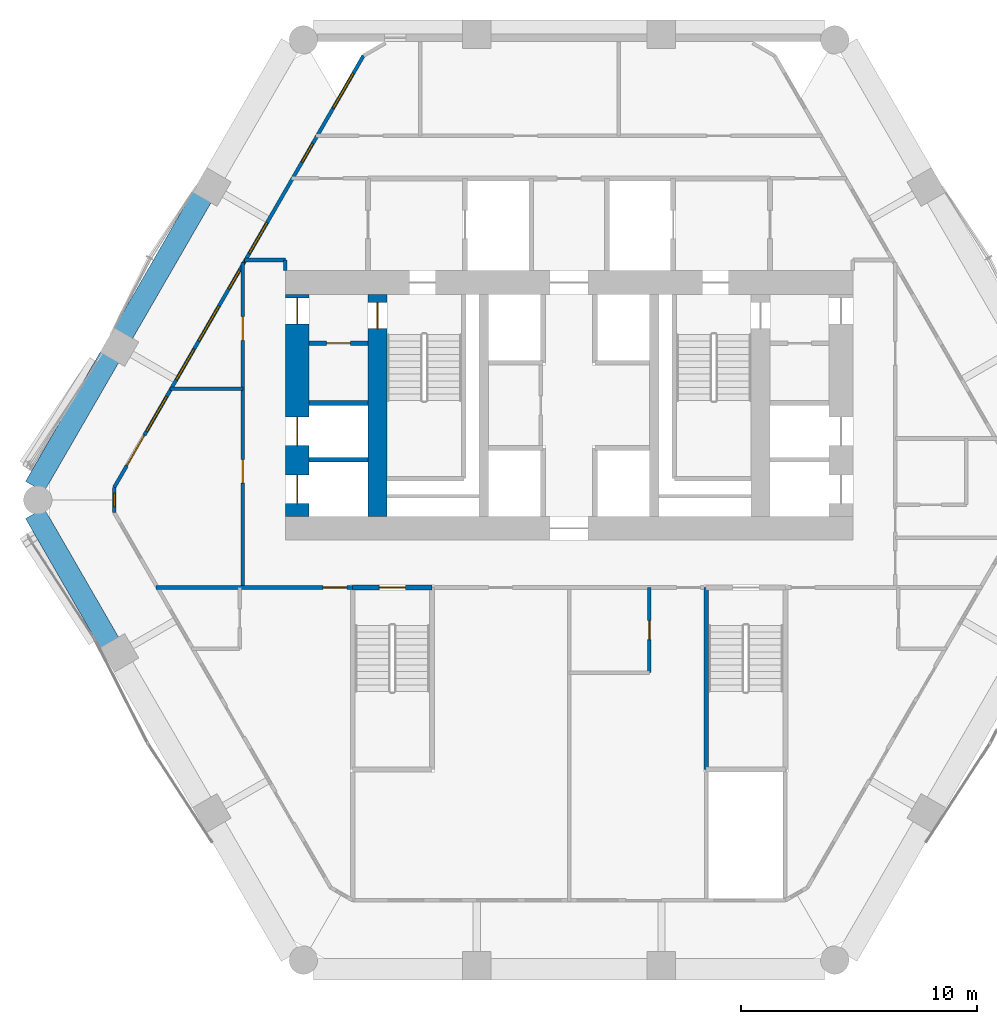
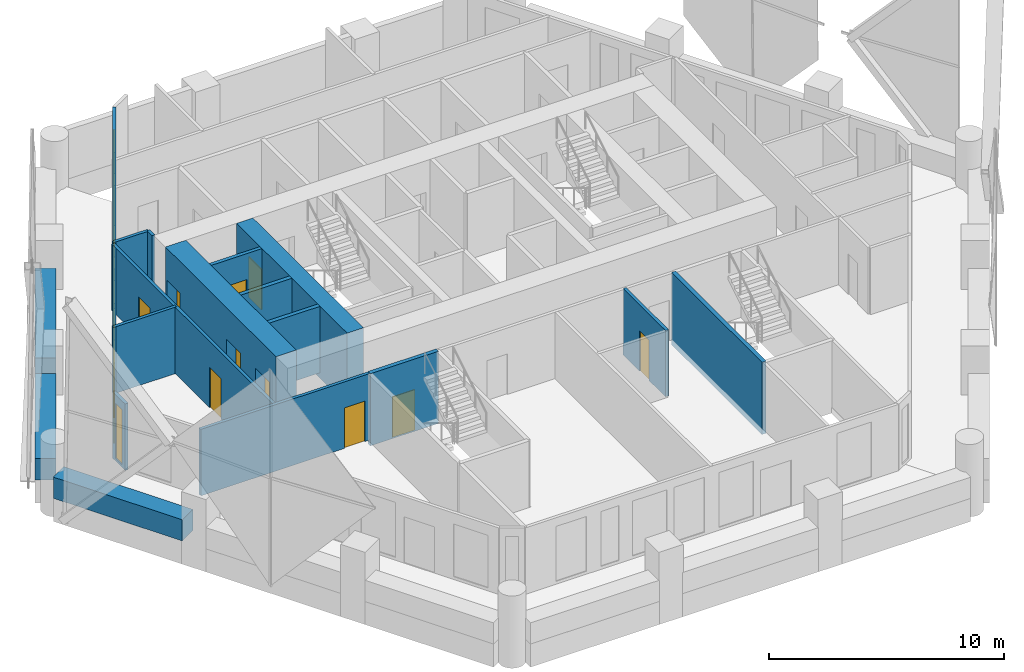
# One storey, part 10 of 16: 18 walls, 11 doors, 8 windows, 19 openings.
"""IFC4 building model written with IfcOpenShell, lengths in metres."""

import ifcopenshell
import ifcopenshell.guid

model = None  # the IFC model being written
_history = None  # IfcOwnerHistory: only IFC2X3 demands one
_inside = {}  # id of a spatial element -> (the spatial element, [elements in it])
_under = {}  # id of a project, library or spatial element -> (it, [spatial elements below it])
_declared = {}  # id of a project -> (the project, [libraries it declares])
_typed = {}  # id of a type object -> (the type object, [elements of that type])
_made_of = {}  # id of a material, layer set ... -> (it, [elements and type objects made of it])


def new_model(schema):
    """Start an empty IFC model of exactly this schema.

    Asked for "IFC4X3", IfcOpenShell would pick the latest addendum, in which some entities
    have other attributes; the version numbers below select the first issue.
    IFC2X3 requires an IfcOwnerHistory on every rooted entity: one is made here for all.
    """
    global model, _history
    if schema == "IFC4X3":
        model = ifcopenshell.file(schema_version=(4, 3, 0, 0))
    else:
        model = ifcopenshell.file(schema=schema)
    _inside.clear()
    _under.clear()
    _declared.clear()
    _typed.clear()
    _made_of.clear()
    _history = None
    if model.schema == "IFC2X3":
        org = make("IfcOrganization", Name="unknown")
        user = make(
            "IfcPersonAndOrganization",
            ThePerson=make("IfcPerson", FamilyName="unknown"),
            TheOrganization=org,
        )
        app = make(
            "IfcApplication",
            ApplicationDeveloper=org,
            Version="unknown",
            ApplicationFullName="unknown",
            ApplicationIdentifier="unknown",
        )
        _history = make(
            "IfcOwnerHistory",
            OwningUser=user,
            OwningApplication=app,
            ChangeAction="ADDED",
            CreationDate=0,
        )
    return model


def make(cls, **values):
    """One entity of the class cls with the attributes given. An attribute that is None is left unset."""
    return model.create_entity(
        cls, **{name: value for name, value in values.items() if value is not None}
    )


def rooted(cls, **values):
    """An entity with a GlobalId (a new one), such as an element, a storey or a relation."""
    return make(cls, GlobalId=ifcopenshell.guid.new(), OwnerHistory=_history, **values)


def si_unit(unit_type, name, prefix=None):
    """IfcSIUnit, for example si_unit("LENGTHUNIT", "METRE", prefix="MILLI")."""
    return make("IfcSIUnit", UnitType=unit_type, Prefix=prefix, Name=name)


def assignment(units):
    """IfcUnitAssignment: the units of a project."""
    return None if units is None else make("IfcUnitAssignment", Units=units)


def point(xyz):
    """IfcCartesianPoint."""
    return None if xyz is None else make("IfcCartesianPoint", Coordinates=xyz)


def direction(xyz):
    """IfcDirection."""
    return None if xyz is None else make("IfcDirection", DirectionRatios=xyz)


def frame(location, z_axis=None, x_axis=None):
    """IfcAxis2Placement3D, a coordinate frame: its origin and axes. An axis left out is left unset."""
    return make(
        "IfcAxis2Placement3D",
        Location=point(location),
        Axis=direction(z_axis),
        RefDirection=direction(x_axis),
    )


def frame_2d(location, x_axis=None):
    """IfcAxis2Placement2D, a coordinate frame in the plane: its origin and x axis."""
    return make(
        "IfcAxis2Placement2D", Location=point(location), RefDirection=direction(x_axis)
    )


def origin():
    """The frame at (0, 0, 0) with its axes left unset."""
    return frame((0.0, 0.0, 0.0))


def place(relative_to, where):
    """IfcLocalPlacement: puts the frame where relative to a parent placement (None: the world)."""
    return make(
        "IfcLocalPlacement", PlacementRelTo=relative_to, RelativePlacement=where
    )


def context(
    kind, dimensions, precision=None, world=None, true_north=None, identifier=None
):
    """IfcGeometricRepresentationContext, for example the 3D "Model" context."""
    return make(
        "IfcGeometricRepresentationContext",
        ContextIdentifier=identifier,
        ContextType=kind,
        CoordinateSpaceDimension=dimensions,
        Precision=precision,
        WorldCoordinateSystem=world,
        TrueNorth=true_north,
    )


def subcontext(parent, identifier, kind, view, scale=None):
    """IfcGeometricRepresentationSubContext, for example "Body" below "Model"."""
    return make(
        "IfcGeometricRepresentationSubContext",
        ContextIdentifier=identifier,
        ContextType=kind,
        ParentContext=parent,
        TargetScale=scale,
        TargetView=view,
    )


def project(units=None, contexts=None):
    """IfcProject with its units and contexts."""
    return rooted(
        "IfcProject",
        Name="project",
        RepresentationContexts=contexts,
        UnitsInContext=assignment(units),
    )


def spatial(cls, under=None, at=None, **own):
    """A site, building, storey or space (cls), placed at a placement, below another one or the project."""
    s = rooted(cls, ObjectPlacement=at, **own)
    if under is not None:
        _under.setdefault(under.id(), (under, []))[1].append(s)
    return s


def profile(cls, at=None, kind="AREA", **sizes):
    """A parametric profile (cls). Its sizes go by their IFC names, for example OverallWidth=200.0."""
    return make(cls, ProfileType=kind, Position=at, **sizes)


def rectangle(**sizes):
    """IfcRectangleProfileDef."""
    return profile("IfcRectangleProfileDef", **sizes)


def extrude(swept, where, along, depth):
    """IfcExtrudedAreaSolid: the profile swept, set in the frame where, extruded along a direction by depth."""
    return make(
        "IfcExtrudedAreaSolid",
        SweptArea=swept,
        Position=where,
        ExtrudedDirection=direction(along),
        Depth=depth,
    )


def shape(context_of_items, identifier, shape_type, items):
    """IfcShapeRepresentation: the items that make up one representation, for example the "Body"."""
    return make(
        "IfcShapeRepresentation",
        ContextOfItems=context_of_items,
        RepresentationIdentifier=identifier,
        RepresentationType=shape_type,
        Items=items,
    )


def material(Name=None, Category=None):
    """IfcMaterial."""
    return make("IfcMaterial", Name=Name, Category=Category)


def layer(
    of_material, thickness, ventilated=None, Name=None, Category=None, Priority=None
):
    """IfcMaterialLayer: one layer of a wall or slab, of a material (None: an air gap)."""
    return make(
        "IfcMaterialLayer",
        Material=of_material,
        LayerThickness=thickness,
        IsVentilated=ventilated,
        Name=Name,
        Category=Category,
        Priority=Priority,
    )


def layer_set(layers, Name=None):
    """IfcMaterialLayerSet."""
    return make("IfcMaterialLayerSet", MaterialLayers=layers, LayerSetName=Name)


def made_of(thing, what):
    """Note that an element or type object is made of a material, layer set ...; save() writes the relation."""
    if what is not None:
        _made_of.setdefault(what.id(), (what, []))[1].append(thing)
    return thing


def type_object(cls, material=None, **own):
    """A type object (cls), such as IfcWallType, which elements share."""
    return made_of(rooted(cls, **own), material)


def element(
    cls,
    number,
    at=None,
    inside=None,
    cuts=None,
    type_object=None,
    material=None,
    context=None,
    identifier="Body",
    shape_type=None,
    held_by="IfcProductDefinitionShape",
    body=None,
    shapes=None,
    **own,
):
    """One element of the class cls, such as IfcWall. Its Tag is "e" and its number.

    at: its placement. inside: the storey or other place that contains it. cuts: it is an
    opening in that element (IfcRelVoidsElement). A single representation is given by context,
    identifier, shape_type and body (its items); several are given by shapes. held_by: the class
    of the entity that holds the representations. save() writes the other relations.
    """
    e = rooted(cls, Tag="e%d" % number, ObjectPlacement=at, **own)
    if body is not None:
        shapes = [shape(context, identifier, shape_type, body)]
    if shapes is not None:
        e.Representation = make(held_by, Representations=shapes)
    if inside is not None:
        _inside.setdefault(inside.id(), (inside, []))[1].append(e)
    if cuts is not None:
        rooted(
            "IfcRelVoidsElement", RelatingBuildingElement=cuts, RelatedOpeningElement=e
        )
    if type_object is not None:
        _typed.setdefault(type_object.id(), (type_object, []))[1].append(e)
    return made_of(e, material)


def fill(opening, filler):
    """IfcRelFillsElement: the door or window that sits in an opening."""
    return rooted(
        "IfcRelFillsElement",
        RelatingOpeningElement=opening,
        RelatedBuildingElement=filler,
    )


def aggregate(whole, parts):
    """IfcRelAggregates: a whole, such as a stair, and the parts it consists of."""
    return rooted("IfcRelAggregates", RelatingObject=whole, RelatedObjects=parts)


def save(model, path):
    """Write the relations noted so far, then the file.

    IfcRelAggregates (storeys below a building ...), IfcRelContainedInSpatialStructure (elements
    in a storey), IfcRelDefinesByType, IfcRelAssociatesMaterial and IfcRelDeclares: one each for
    every whole, place, type object, material and project.
    """
    for whole, parts in _under.values():
        aggregate(whole, parts)
    for where, things in _inside.values():
        rooted(
            "IfcRelContainedInSpatialStructure",
            RelatedElements=things,
            RelatingStructure=where,
        )
    for kind, things in _typed.values():
        rooted("IfcRelDefinesByType", RelatedObjects=things, RelatingType=kind)
    for what, things in _made_of.values():
        rooted("IfcRelAssociatesMaterial", RelatedObjects=things, RelatingMaterial=what)
    for by, libraries in _declared.values():
        rooted("IfcRelDeclares", RelatingContext=by, RelatedDefinitions=libraries)
    model.write(path)


model = new_model("IFC4")

# Units and contexts
model_context = context("Model", 3, precision=1e-05, world=origin(), true_north=direction((0.0, 1.0)))
body_context = subcontext(model_context, "Body", "Model", "MODEL_VIEW")
ifc_project = project(units=[si_unit("LENGTHUNIT", "METRE"), si_unit("AREAUNIT", "SQUARE_METRE"), si_unit("VOLUMEUNIT", "CUBIC_METRE"), si_unit("PLANEANGLEUNIT", "RADIAN"), si_unit("MASSUNIT", "GRAM", prefix="KILO")], contexts=[model_context])

# Site, building, storey
site_placement = place(None, origin())
site = spatial("IfcSite", under=ifc_project, at=site_placement, CompositionType="ELEMENT")
building_placement = place(site_placement, origin())
building = spatial("IfcBuilding", under=site, at=building_placement, Name="Ostrander Bayou Hotel Tower", CompositionType="ELEMENT")
storey_placement = place(building_placement, frame((0.0, 0.0, 85.5)))
storey = spatial("IfcBuildingStorey", under=building, at=storey_placement, Name="L21", CompositionType="ELEMENT", Elevation=85.5)

# Wall, openings, doors
ifc_material_1 = material(Name="Concrete f'c 70 MPa", Category="concrete")
ifc_layer_1 = layer(ifc_material_1, 1.0)
ifc_layer_set_1 = layer_set([ifc_layer_1], Name="CW4 core wall 1000 mm f'c 70 MPa")
wall_type_1 = type_object("IfcWallType", Name="CW4 core wall 1000 mm f'c 70 MPa", PredefinedType="SHEAR", material=ifc_layer_set_1)
wall_1_placement = place(storey_placement, frame((-11.5, -0.699951171875, -0.300048828125), z_axis=(0.0, 0.0, 1.0), x_axis=(0.0, 1.0, 0.0)))
wall_1 = element("IfcWall", 1, at=wall_1_placement, inside=storey, type_object=wall_type_1, Name="CW4 L21 RW", PredefinedType="SHEAR", context=body_context, shape_type="SweptSolid", body=[
    extrude(rectangle(XDim=9.39990234375, YDim=1.0, at=frame_2d((4.699951171875, 0.0))), origin(), (0.0, 0.0, 1.0), 3.75),
])
opening_1_placement = place(wall_1_placement, frame((8.14990234375, 0.0, 0.0)))
opening_1 = element("IfcOpeningElement", 2, at=opening_1_placement, cuts=wall_1, Name="Opening T21-016", PredefinedType="OPENING", context=body_context, shape_type="SweptSolid", body=[
    extrude(rectangle(XDim=1.10009765625, YDim=2.10009765625, at=frame_2d((0.550048828125, 1.050048828125))), frame((0.0, 0.5, 0.0), z_axis=(0.0, -1.0, 0.0), x_axis=(1.0, 0.0, 0.0)), (0.0, 0.0, 1.0), 1.0),
])
opening_2_placement = place(wall_1_placement, frame((0.550048828125, 0.0, 0.0)))
opening_2 = element("IfcOpeningElement", 3, at=opening_2_placement, cuts=wall_1, Name="Opening T21-017", PredefinedType="OPENING", context=body_context, shape_type="SweptSolid", body=[
    extrude(rectangle(XDim=1.199951171875, YDim=2.10009765625, at=frame_2d((0.60009765625, 1.050048828125))), frame((0.0, 0.5, 0.0), z_axis=(0.0, -1.0, 0.0), x_axis=(1.0, 0.0, 0.0)), (0.0, 0.0, 1.0), 1.0),
])
opening_3_placement = place(wall_1_placement, frame((3.0, 0.0, 0.0)))
opening_3 = element("IfcOpeningElement", 4, at=opening_3_placement, cuts=wall_1, Name="Opening T21-018", PredefinedType="OPENING", context=body_context, shape_type="SweptSolid", body=[
    extrude(rectangle(XDim=1.199951171875, YDim=2.10009765625, at=frame_2d((0.60009765625, 1.050048828125))), frame((0.0, 0.5, 0.0), z_axis=(0.0, -1.0, 0.0), x_axis=(1.0, 0.0, 0.0)), (0.0, 0.0, 1.0), 1.0),
])
ifc_material_2 = material(Name="Timber door leaf", Category="wood")
door_type_1 = type_object("IfcDoorType", Name="D5 stair door 1100 x 2100 mm, 90 minute", OperationType="SINGLE_SWING_LEFT", PredefinedType="DOOR", material=ifc_material_2)
door_1_placement = place(opening_1_placement, origin())
door_1 = element("IfcDoor", 5, at=door_1_placement, inside=storey, type_object=door_type_1, Name="dr:L21:016", OperationType="SINGLE_SWING_LEFT", OverallHeight=2.10009765625, OverallWidth=1.10009765625, PredefinedType="DOOR", context=body_context, shape_type="SweptSolid", body=[
    extrude(rectangle(XDim=1.10009765625, YDim=2.10009765625, at=frame_2d((0.550048828125, 1.050048828125))), frame((0.0, 0.02490234375, 0.0), z_axis=(0.0, -1.0, 0.0), x_axis=(1.0, 0.0, 0.0)), (0.0, 0.0, 1.0), 0.050048828125),
])
fill(opening_1, door_1)
ifc_material_3 = material(Name="Stainless steel sliding door", Category="steel")
door_type_2 = type_object("IfcDoorType", Name="LD1 lift landing door 1200 x 2100 mm", OperationType="SINGLE_SWING_LEFT", PredefinedType="DOOR", material=ifc_material_3)
door_2_placement = place(opening_2_placement, origin())
door_2 = element("IfcDoor", 6, at=door_2_placement, inside=storey, type_object=door_type_2, Name="dr:L21:017", OperationType="SLIDING_TO_LEFT", OverallHeight=2.10009765625, OverallWidth=1.199951171875, PredefinedType="DOOR", context=body_context, shape_type="SweptSolid", body=[
    extrude(rectangle(XDim=1.199951171875, YDim=2.10009765625, at=frame_2d((0.60009765625, 1.050048828125))), frame((0.0, 0.02490234375, 0.0), z_axis=(0.0, -1.0, 0.0), x_axis=(1.0, 0.0, 0.0)), (0.0, 0.0, 1.0), 0.050048828125),
])
fill(opening_2, door_2)
door_3_placement = place(opening_3_placement, origin())
door_3 = element("IfcDoor", 7, at=door_3_placement, inside=storey, type_object=door_type_2, Name="dr:L21:018", OperationType="SLIDING_TO_LEFT", OverallHeight=2.10009765625, OverallWidth=1.199951171875, PredefinedType="DOOR", context=body_context, shape_type="SweptSolid", body=[
    extrude(rectangle(XDim=1.199951171875, YDim=2.10009765625, at=frame_2d((0.60009765625, 1.050048828125))), frame((0.0, 0.02490234375, 0.0), z_axis=(0.0, -1.0, 0.0), x_axis=(1.0, 0.0, 0.0)), (0.0, 0.0, 1.0), 0.050048828125),
])
fill(opening_3, door_3)

# Wall, opening, door
ifc_material_4 = material(Name="Concrete f'c 70 MPa", Category="concrete")
ifc_layer_2 = layer(ifc_material_4, 0.800048828125)
ifc_layer_set_2 = layer_set([ifc_layer_2], Name="CW5 core spine wall 800 mm f'c 70 MPa")
wall_type_2 = type_object("IfcWallType", Name="CW5 core spine wall 800 mm f'c 70 MPa", PredefinedType="SHEAR", material=ifc_layer_set_2)
wall_2_placement = place(storey_placement, frame((-8.10009765625, -0.699951171875, -0.300048828125), z_axis=(0.0, 0.0, 1.0), x_axis=(0.0, 1.0, 0.0)))
wall_2 = element("IfcWall", 8, at=wall_2_placement, inside=storey, type_object=wall_type_2, Name="CW5 L21 W", PredefinedType="SHEAR", context=body_context, shape_type="SweptSolid", body=[
    extrude(rectangle(XDim=9.39990234375, YDim=0.800048828125, at=frame_2d((4.699951171875, 0.0))), origin(), (0.0, 0.0, 1.0), 3.75),
])
opening_4_placement = place(wall_2_placement, frame((7.949951171875, 0.0, 0.0)))
opening_4 = element("IfcOpeningElement", 9, at=opening_4_placement, cuts=wall_2, Name="Opening T21-004", PredefinedType="OPENING", context=body_context, shape_type="SweptSolid", body=[
    extrude(rectangle(XDim=1.10009765625, YDim=2.10009765625, at=frame_2d((0.550048828125, 1.050048828125))), frame((0.0, 0.39990234375, 0.0), z_axis=(0.0, -1.0, 0.0), x_axis=(1.0, 0.0, 0.0)), (0.0, 0.0, 1.0), 0.800048828125),
])
door_4_placement = place(opening_4_placement, origin())
door_4 = element("IfcDoor", 10, at=door_4_placement, inside=storey, type_object=door_type_1, Name="dr:L21:004", OperationType="SINGLE_SWING_RIGHT", OverallHeight=2.10009765625, OverallWidth=1.10009765625, PredefinedType="DOOR", context=body_context, shape_type="SweptSolid", body=[
    extrude(rectangle(XDim=1.10009765625, YDim=2.10009765625, at=frame_2d((0.550048828125, 1.050048828125))), frame((0.0, 0.02490234375, 0.0), z_axis=(0.0, -1.0, 0.0), x_axis=(1.0, 0.0, 0.0)), (0.0, 0.0, 1.0), 0.050048828125),
])
fill(opening_4, door_4)

# Wall, openings, door, windows
ifc_material_5 = material(Name="Aluminium framed insulated wall", Category="aluminium")
ifc_layer_3 = layer(ifc_material_5, 0.14990234375)
ifc_layer_set_3 = layer_set([ifc_layer_3], Name="GW1 glass-line wall 150 mm")
wall_type_3 = type_object("IfcWallType", Name="GW1 glass-line wall 150 mm", PredefinedType="SOLIDWALL", material=ifc_layer_set_3)
wall_3_placement = place(storey_placement, frame((-8.693603515625, 18.79248046875, 0.0), z_axis=(0.0, 0.0, 1.0), x_axis=(-0.49999341138, -0.866029207692, 0.0)))
wall_3 = element("IfcWall", 11, at=wall_3_placement, inside=storey, type_object=wall_type_3, Name="GW1 L21 NW 1", PredefinedType="SOLIDWALL", context=body_context, shape_type="SweptSolid", body=[
    extrude(rectangle(XDim=21.084716796875, YDim=0.14990234375, at=frame_2d((10.54248046875, 0.0))), origin(), (0.0, 0.0, 1.0), 3.449951171875),
])
opening_5_placement = place(wall_3_placement, frame((4.293212890625, 0.0, 0.14990234375)))
opening_5 = element("IfcOpeningElement", 12, at=opening_5_placement, cuts=wall_3, Name="Opening W16", PredefinedType="OPENING", context=body_context, shape_type="SweptSolid", body=[
    extrude(rectangle(XDim=0.89990234375, YDim=2.85009765625, at=frame_2d((0.449951171875, 1.425048828125))), frame((0.0, 0.074951171875, 0.0), z_axis=(0.0, -1.0, 0.0), x_axis=(1.0, 0.0, 0.0)), (0.0, 0.0, 1.0), 0.14990234375),
])
opening_6_placement = place(wall_3_placement, frame((10.48486328125, 0.0, 0.14990234375)))
opening_6 = element("IfcOpeningElement", 13, at=opening_6_placement, cuts=wall_3, Name="Opening W16", PredefinedType="OPENING", context=body_context, shape_type="SweptSolid", body=[
    extrude(rectangle(XDim=0.89990234375, YDim=2.85009765625, at=frame_2d((0.449951171875, 1.425048828125))), frame((0.0, 0.074951171875, 0.0), z_axis=(0.0, -1.0, 0.0), x_axis=(1.0, 0.0, 0.0)), (0.0, 0.0, 1.0), 0.14990234375),
])
opening_7_placement = place(wall_3_placement, frame((8.155517578125, 0.0, 0.14990234375)))
opening_7 = element("IfcOpeningElement", 14, at=opening_7_placement, cuts=wall_3, Name="Opening W12", PredefinedType="OPENING", context=body_context, shape_type="SweptSolid", body=[
    extrude(rectangle(XDim=1.5, YDim=2.85009765625, at=frame_2d((0.75, 1.425048828125))), frame((0.0, 0.074951171875, 0.0), z_axis=(0.0, -1.0, 0.0), x_axis=(1.0, 0.0, 0.0)), (0.0, 0.0, 1.0), 0.14990234375),
])
opening_8_placement = place(wall_3_placement, frame((12.22802734375, 0.0, 0.14990234375)))
opening_8 = element("IfcOpeningElement", 15, at=opening_8_placement, cuts=wall_3, Name="Opening W2", PredefinedType="OPENING", context=body_context, shape_type="SweptSolid", body=[
    extrude(rectangle(XDim=1.699951171875, YDim=2.85009765625, at=frame_2d((0.85009765625, 1.425048828125))), frame((0.0, 0.074951171875, 0.0), z_axis=(0.0, -1.0, 0.0), x_axis=(1.0, 0.0, 0.0)), (0.0, 0.0, 1.0), 0.14990234375),
])
opening_9_placement = place(wall_3_placement, frame((14.328125, 0.0, 0.14990234375)))
opening_9 = element("IfcOpeningElement", 16, at=opening_9_placement, cuts=wall_3, Name="Opening W12", PredefinedType="OPENING", context=body_context, shape_type="SweptSolid", body=[
    extrude(rectangle(XDim=1.5, YDim=2.85009765625, at=frame_2d((0.75, 1.425048828125))), frame((0.0, 0.074951171875, 0.0), z_axis=(0.0, -1.0, 0.0), x_axis=(1.0, 0.0, 0.0)), (0.0, 0.0, 1.0), 0.14990234375),
])
opening_10_placement = place(wall_3_placement, frame((16.648681640625, 0.0, 0.14990234375)))
opening_10 = element("IfcOpeningElement", 17, at=opening_10_placement, cuts=wall_3, Name="Opening W2", PredefinedType="OPENING", context=body_context, shape_type="SweptSolid", body=[
    extrude(rectangle(XDim=1.699951171875, YDim=2.85009765625, at=frame_2d((0.85009765625, 1.425048828125))), frame((0.0, 0.074951171875, 0.0), z_axis=(0.0, -1.0, 0.0), x_axis=(1.0, 0.0, 0.0)), (0.0, 0.0, 1.0), 0.14990234375),
])
opening_11_placement = place(wall_3_placement, frame((18.528076171875, 0.0, 0.0)))
opening_11 = element("IfcOpeningElement", 18, at=opening_11_placement, cuts=wall_3, Name="Opening T21-800", PredefinedType="OPENING", context=body_context, shape_type="SweptSolid", body=[
    extrude(rectangle(XDim=1.5, YDim=2.39990234375, at=frame_2d((0.75, 1.199951171875))), frame((0.0, 0.074951171875, 0.0), z_axis=(0.0, -1.0, 0.0), x_axis=(1.0, 0.0, 0.0)), (0.0, 0.0, 1.0), 0.14990234375),
])
opening_12_placement = place(wall_3_placement, frame((0.864013671875, 0.0, 0.14990234375)))
opening_12 = element("IfcOpeningElement", 19, at=opening_12_placement, cuts=wall_3, Name="Opening W2", PredefinedType="OPENING", context=body_context, shape_type="SweptSolid", body=[
    extrude(rectangle(XDim=1.699951171875, YDim=2.72998046875, at=frame_2d((0.85009765625, 1.364990234375))), frame((0.0, 0.074951171875, 0.0), z_axis=(0.0, -1.0, 0.0), x_axis=(1.0, 0.0, 0.0)), (0.0, 0.0, 1.0), 0.14990234375),
])
ifc_material_6 = material(Name="Aluminium and clear glass", Category="aluminium")
door_type_3 = type_object("IfcDoorType", Name="SD2 sliding glass door 1500 mm, zone 2", OperationType="SLIDING_TO_LEFT", PredefinedType="DOOR", material=ifc_material_6)
door_5_placement = place(opening_11_placement, origin())
door_5 = element("IfcDoor", 20, at=door_5_placement, inside=storey, type_object=door_type_3, Name="SD2 L21 NW 4", OperationType="SLIDING_TO_RIGHT", OverallHeight=2.39990234375, OverallWidth=1.5, PredefinedType="DOOR", context=body_context, shape_type="SweptSolid", body=[
    extrude(rectangle(XDim=1.5, YDim=2.39990234375, at=frame_2d((0.75, 1.199951171875))), frame((0.0, 0.02490234375, 0.0), z_axis=(0.0, -1.0, 0.0), x_axis=(1.0, 0.0, 0.0)), (0.0, 0.0, 1.0), 0.050048828125),
])
fill(opening_11, door_5)
ifc_material_7 = material(Name="Aluminium and clear glass", Category="aluminium")
window_type_1 = type_object("IfcWindowType", Name="W12 fixed window 1500 mm, bath bay, zone 2", PartitioningType="SINGLE_PANEL", PredefinedType="WINDOW", material=ifc_material_7)
window_1_placement = place(opening_7_placement, origin())
window_1 = element("IfcWindow", 21, at=window_1_placement, inside=storey, type_object=window_type_1, Name="W12 L21 NW 2", OverallHeight=2.85009765625, OverallWidth=1.5, PartitioningType="SINGLE_PANEL", PredefinedType="WINDOW", context=body_context, shape_type="SweptSolid", body=[
    extrude(rectangle(XDim=1.5, YDim=2.85009765625, at=frame_2d((0.75, 1.425048828125))), frame((0.0, 0.030029296875, 0.0), z_axis=(0.0, -1.0, 0.0), x_axis=(1.0, 0.0, 0.0)), (0.0, 0.0, 1.0), 0.06005859375),
])
fill(opening_7, window_1)
window_2_placement = place(opening_9_placement, origin())
window_2 = element("IfcWindow", 22, at=window_2_placement, inside=storey, type_object=window_type_1, Name="W12 L21 NW 3", OverallHeight=2.85009765625, OverallWidth=1.5, PartitioningType="SINGLE_PANEL", PredefinedType="WINDOW", context=body_context, shape_type="SweptSolid", body=[
    extrude(rectangle(XDim=1.5, YDim=2.85009765625, at=frame_2d((0.75, 1.425048828125))), frame((0.0, 0.030029296875, 0.0), z_axis=(0.0, -1.0, 0.0), x_axis=(1.0, 0.0, 0.0)), (0.0, 0.0, 1.0), 0.06005859375),
])
fill(opening_9, window_2)
ifc_material_8 = material(Name="Aluminium and clear glass", Category="aluminium")
window_type_2 = type_object("IfcWindowType", Name="W16 window 900 mm, zone 2", PartitioningType="SINGLE_PANEL", PredefinedType="WINDOW", material=ifc_material_8)
window_3_placement = place(opening_5_placement, origin())
window_3 = element("IfcWindow", 23, at=window_3_placement, inside=storey, type_object=window_type_2, Name="W16 L21 NW 1", OverallHeight=2.85009765625, OverallWidth=0.89990234375, PartitioningType="SINGLE_PANEL", PredefinedType="WINDOW", context=body_context, shape_type="SweptSolid", body=[
    extrude(rectangle(XDim=0.89990234375, YDim=2.85009765625, at=frame_2d((0.449951171875, 1.425048828125))), frame((0.0, 0.030029296875, 0.0), z_axis=(0.0, -1.0, 0.0), x_axis=(1.0, 0.0, 0.0)), (0.0, 0.0, 1.0), 0.06005859375),
])
fill(opening_5, window_3)
window_4_placement = place(opening_6_placement, origin())
window_4 = element("IfcWindow", 24, at=window_4_placement, inside=storey, type_object=window_type_2, Name="W16 L21 NW 2", OverallHeight=2.85009765625, OverallWidth=0.89990234375, PartitioningType="SINGLE_PANEL", PredefinedType="WINDOW", context=body_context, shape_type="SweptSolid", body=[
    extrude(rectangle(XDim=0.89990234375, YDim=2.85009765625, at=frame_2d((0.449951171875, 1.425048828125))), frame((0.0, 0.030029296875, 0.0), z_axis=(0.0, -1.0, 0.0), x_axis=(1.0, 0.0, 0.0)), (0.0, 0.0, 1.0), 0.06005859375),
])
fill(opening_6, window_4)
ifc_material_9 = material(Name="Aluminium and clear glass", Category="aluminium")
window_type_3 = type_object("IfcWindowType", Name="W2 fixed window 1700 mm, zone 2", PartitioningType="SINGLE_PANEL", PredefinedType="WINDOW", material=ifc_material_9)
window_5_placement = place(opening_8_placement, origin())
window_5 = element("IfcWindow", 25, at=window_5_placement, inside=storey, type_object=window_type_3, Name="W2 L21 NW 3", OverallHeight=2.85009765625, OverallWidth=1.699951171875, PartitioningType="SINGLE_PANEL", PredefinedType="WINDOW", context=body_context, shape_type="SweptSolid", body=[
    extrude(rectangle(XDim=1.699951171875, YDim=2.85009765625, at=frame_2d((0.85009765625, 1.425048828125))), frame((0.0, 0.030029296875, 0.0), z_axis=(0.0, -1.0, 0.0), x_axis=(1.0, 0.0, 0.0)), (0.0, 0.0, 1.0), 0.06005859375),
])
fill(opening_8, window_5)
window_6_placement = place(opening_10_placement, origin())
window_6 = element("IfcWindow", 26, at=window_6_placement, inside=storey, type_object=window_type_3, Name="W2 L21 NW 4", OverallHeight=2.85009765625, OverallWidth=1.699951171875, PartitioningType="SINGLE_PANEL", PredefinedType="WINDOW", context=body_context, shape_type="SweptSolid", body=[
    extrude(rectangle(XDim=1.699951171875, YDim=2.85009765625, at=frame_2d((0.85009765625, 1.425048828125))), frame((0.0, 0.030029296875, 0.0), z_axis=(0.0, -1.0, 0.0), x_axis=(1.0, 0.0, 0.0)), (0.0, 0.0, 1.0), 0.06005859375),
])
fill(opening_10, window_6)
window_7_placement = place(opening_12_placement, origin())
window_7 = element("IfcWindow", 27, at=window_7_placement, inside=storey, type_object=window_type_3, Name="W2 L21 NW E11", OverallHeight=2.72998046875, OverallWidth=1.699951171875, PartitioningType="SINGLE_PANEL", PredefinedType="WINDOW", context=body_context, shape_type="SweptSolid", body=[
    extrude(rectangle(XDim=1.699951171875, YDim=2.72998046875, at=frame_2d((0.85009765625, 1.364990234375))), frame((0.0, 0.030029296875, 0.0), z_axis=(0.0, -1.0, 0.0), x_axis=(1.0, 0.0, 0.0)), (0.0, 0.0, 1.0), 0.06005859375),
])
fill(opening_12, window_7)

# Wall, opening, window
wall_4_placement = place(storey_placement, frame((-19.23583984375, 0.532470703125, 0.0), z_axis=(0.0, 0.0, 1.0), x_axis=(0.0, -1.0, 0.0)))
wall_4 = element("IfcWall", 28, at=wall_4_placement, inside=storey, type_object=wall_type_3, Name="GW1 L21 corner 2", PredefinedType="SOLIDWALL", context=body_context, shape_type="SweptSolid", body=[
    extrude(rectangle(XDim=1.06494140625, YDim=0.14990234375, at=frame_2d((0.532470703125, 0.0))), origin(), (0.0, 0.0, 1.0), 3.449951171875),
])
opening_13_placement = place(wall_4_placement, frame((0.257568359375, 0.0, 0.14990234375)))
opening_13 = element("IfcOpeningElement", 29, at=opening_13_placement, cuts=wall_4, Name="Opening W19", PredefinedType="OPENING", context=body_context, shape_type="SweptSolid", body=[
    extrude(rectangle(XDim=0.550048828125, YDim=2.85009765625, at=frame_2d((0.27490234375, 1.425048828125))), frame((0.0, 0.074951171875, 0.0), z_axis=(0.0, -1.0, 0.0), x_axis=(1.0, 0.0, 0.0)), (0.0, 0.0, 1.0), 0.14990234375),
])
ifc_material_10 = material(Name="Aluminium and clear glass", Category="aluminium")
window_type_4 = type_object("IfcWindowType", Name="W19 corner window 550 mm", PartitioningType="SINGLE_PANEL", PredefinedType="WINDOW", material=ifc_material_10)
window_8_placement = place(opening_13_placement, origin())
window_8 = element("IfcWindow", 30, at=window_8_placement, inside=storey, type_object=window_type_4, Name="W19 L21 corner 2", OverallHeight=2.85009765625, OverallWidth=0.550048828125, PartitioningType="SINGLE_PANEL", PredefinedType="WINDOW", context=body_context, shape_type="SweptSolid", body=[
    extrude(rectangle(XDim=0.550048828125, YDim=2.85009765625, at=frame_2d((0.27490234375, 1.425048828125))), frame((0.0, 0.030029296875, 0.0), z_axis=(0.0, -1.0, 0.0), x_axis=(1.0, 0.0, 0.0)), (0.0, 0.0, 1.0), 0.06005859375),
])
fill(opening_13, window_8)

# Walls
ifc_material_11 = material(Name="Concrete f'c 40 MPa", Category="concrete")
ifc_layer_4 = layer(ifc_material_11, 0.89990234375)
ifc_layer_set_4 = layer_set([ifc_layer_4], Name="PA1 stone-faced parapet 900 mm")
wall_type_4 = type_object("IfcWallType", Name="PA1 stone-faced parapet 900 mm", PredefinedType="PARAPET", material=ifc_layer_set_4)
wall_5_placement = place(storey_placement, frame((-15.522216796875, 12.814697265625, 0.0), z_axis=(0.0, 0.0, 1.0), x_axis=(-0.499999023957, -0.866025967302, 0.0)))
element("IfcWall", 31, at=wall_5_placement, inside=storey, type_object=wall_type_4, Name="PA1 L21 NW-2", PredefinedType="PARAPET", context=body_context, shape_type="SweptSolid", body=[
    extrude(rectangle(XDim=6.67333984375, YDim=0.89990234375, at=frame_2d((3.336669921875, 0.0))), origin(), (0.0, 0.0, 1.0), 1.10009765625),
])
wall_6_placement = place(storey_placement, frame((-19.428955078125, 6.048095703125, 0.0), z_axis=(0.0, 0.0, 1.0), x_axis=(-0.500011668103, -0.866018667098, 0.0)))
element("IfcWall", 32, at=wall_6_placement, inside=storey, type_object=wall_type_4, Name="PA1 L21 NW-3", PredefinedType="PARAPET", context=body_context, shape_type="SweptSolid", body=[
    extrude(rectangle(XDim=6.332763671875, YDim=0.89990234375, at=frame_2d((3.16650390625, 0.0))), origin(), (0.0, 0.0, 1.0), 1.10009765625),
])
ifc_material_12 = material(Name="Limestone masonry", Category="masonry")
ifc_layer_5 = layer(ifc_material_12, 0.89990234375)
ifc_layer_set_5 = layer_set([ifc_layer_5], Name="PA2 limestone parapet 900 mm")
wall_type_5 = type_object("IfcWallType", Name="PA2 limestone parapet 900 mm", PredefinedType="PARAPET", material=ifc_layer_set_5)
wall_7_placement = place(storey_placement, frame((-22.595458984375, -0.563720703125, 0.0), z_axis=(0.0, 0.0, 1.0), x_axis=(0.500011668103, -0.866018667098, 0.0)))
element("IfcWall", 33, at=wall_7_placement, inside=storey, type_object=wall_type_5, Name="PA2 L21 SW-1", PredefinedType="PARAPET", context=body_context, shape_type="SweptSolid", body=[
    extrude(rectangle(XDim=6.332763671875, YDim=0.89990234375, at=frame_2d((3.16650390625, 0.0))), origin(), (0.0, 0.0, 1.0), 1.10009765625),
])

# Wall, opening, door
ifc_material_13 = material(Name="Gypsum board partition", Category="finish")
ifc_layer_6 = layer(ifc_material_13, 0.175048828125)
ifc_layer_set_6 = layer_set([ifc_layer_6], Name="PT4 corridor wall 175 mm, 1 hour")
wall_type_6 = type_object("IfcWallType", Name="PT4 corridor wall 175 mm, 1 hour", PredefinedType="PARTITIONING", material=ifc_layer_set_6)
wall_8_placement = place(storey_placement, frame((-11.0, 6.6298828125, 0.0), z_axis=(0.0, 0.0, 1.0), x_axis=(1.0, 0.0, 0.0)))
wall_8 = element("IfcWall", 34, at=wall_8_placement, inside=storey, type_object=wall_type_6, Name="cs:L21:035", PredefinedType="PARTITIONING", context=body_context, shape_type="SweptSolid", body=[
    extrude(rectangle(XDim=2.5, YDim=0.175048828125, at=frame_2d((1.25, 0.0))), origin(), (0.0, 0.0, 1.0), 3.449951171875),
])
opening_14_placement = place(wall_8_placement, frame((0.75, 0.0, 0.0)))
opening_14 = element("IfcOpeningElement", 35, at=opening_14_placement, cuts=wall_8, Name="Opening T21-015", PredefinedType="OPENING", context=body_context, shape_type="SweptSolid", body=[
    extrude(rectangle(XDim=1.0, YDim=2.10009765625, at=frame_2d((0.5, 1.050048828125))), frame((0.0, 0.08740234375, 0.0), z_axis=(0.0, -1.0, 0.0), x_axis=(1.0, 0.0, 0.0)), (0.0, 0.0, 1.0), 0.175048828125),
])
ifc_material_14 = material(Name="Timber door leaf", Category="wood")
door_type_4 = type_object("IfcDoorType", Name="D4 corridor door 1000 x 2100 mm, 1 hour", OperationType="SINGLE_SWING_LEFT", PredefinedType="DOOR", material=ifc_material_14)
door_6_placement = place(opening_14_placement, origin())
door_6 = element("IfcDoor", 36, at=door_6_placement, inside=storey, type_object=door_type_4, Name="dr:L21:015", OperationType="SINGLE_SWING_LEFT", OverallHeight=2.10009765625, OverallWidth=1.0, PredefinedType="DOOR", context=body_context, shape_type="SweptSolid", body=[
    extrude(rectangle(XDim=1.0, YDim=2.10009765625, at=frame_2d((0.5, 1.050048828125))), frame((0.0, 0.02490234375, 0.0), z_axis=(0.0, -1.0, 0.0), x_axis=(1.0, 0.0, 0.0)), (0.0, 0.0, 1.0), 0.050048828125),
])
fill(opening_14, door_6)

# Walls
ifc_material_15 = material(Name="Masonry block", Category="masonry")
ifc_layer_7 = layer(ifc_material_15, 0.199951171875)
ifc_layer_set_7 = layer_set([ifc_layer_7], Name="PT6 lift shaft wall 200 mm masonry, 2 hour")
wall_type_7 = type_object("IfcWallType", Name="PT6 lift shaft wall 200 mm masonry, 2 hour", PredefinedType="PARTITIONING", material=ifc_layer_set_7)
for number, where, z_axis, x_axis, name in (
    (37, (-11.0, 1.699951171875, 0.0), (0.0, 0.0, 1.0), (1.0, 0.0, 0.0), "cs:L21:033"),
    (38, (-11.0, 4.10009765625, 0.0), (0.0, 0.0, 1.0), (1.0, 0.0, 0.0), "cs:L21:034"),
):
    element("IfcWall", number, at=place(storey_placement, frame(where, z_axis=z_axis, x_axis=x_axis)), inside=storey, type_object=wall_type_7, Name=name, PredefinedType="PARTITIONING", context=body_context, shape_type="SweptSolid", body=[
        extrude(rectangle(XDim=2.5, YDim=0.199951171875, at=frame_2d((1.25, 0.0))), origin(), (0.0, 0.0, 1.0), 3.449951171875),
    ])

# Wall, opening, door
ifc_material_16 = material(Name="Gypsum board partition", Category="finish")
ifc_layer_8 = layer(ifc_material_16, 0.14990234375)
ifc_layer_set_8 = layer_set([ifc_layer_8], Name="PT8 service band wall 150 mm, 1 hour")
wall_type_8 = type_object("IfcWallType", Name="PT8 service band wall 150 mm, 1 hour", PredefinedType="PARTITIONING", material=ifc_layer_set_8)
wall_9_placement = place(storey_placement, frame((-17.458984375, -3.699951171875, 0.0), z_axis=(0.0, 0.0, 1.0), x_axis=(1.0, 0.0, 0.0)))
wall_9 = element("IfcWall", 39, at=wall_9_placement, inside=storey, type_object=wall_type_8, Name="gw:L21:004", PredefinedType="PARTITIONING", context=body_context, shape_type="SweptSolid", body=[
    extrude(rectangle(XDim=8.299072265625, YDim=0.14990234375, at=frame_2d((4.1494140625, 0.0))), origin(), (0.0, 0.0, 1.0), 3.449951171875),
])
opening_15_placement = place(wall_9_placement, frame((7.05908203125, 0.0, 0.0)))
opening_15 = element("IfcOpeningElement", 40, at=opening_15_placement, cuts=wall_9, Name="Opening T21-401", PredefinedType="OPENING", context=body_context, shape_type="SweptSolid", body=[
    extrude(rectangle(XDim=1.0, YDim=2.10009765625, at=frame_2d((0.5, 1.050048828125))), frame((0.0, 0.074951171875, 0.0), z_axis=(0.0, -1.0, 0.0), x_axis=(1.0, 0.0, 0.0)), (0.0, 0.0, 1.0), 0.14990234375),
])
ifc_material_17 = material(Name="Timber door leaf", Category="wood")
door_type_5 = type_object("IfcDoorType", Name="D1 guest room door 1000 x 2100 mm, 30 minute", OperationType="SINGLE_SWING_LEFT", PredefinedType="DOOR", material=ifc_material_17)
door_7_placement = place(opening_15_placement, origin())
door_7 = element("IfcDoor", 41, at=door_7_placement, inside=storey, type_object=door_type_5, Name="dr:L21:401", OperationType="SINGLE_SWING_RIGHT", OverallHeight=2.10009765625, OverallWidth=1.0, PredefinedType="DOOR", context=body_context, shape_type="SweptSolid", body=[
    extrude(rectangle(XDim=1.0, YDim=2.10009765625, at=frame_2d((0.5, 1.050048828125))), frame((0.0, 0.02490234375, 0.0), z_axis=(0.0, -1.0, 0.0), x_axis=(1.0, 0.0, 0.0)), (0.0, 0.0, 1.0), 0.050048828125),
])
fill(opening_15, door_7)

# Walls
wall_10_placement = place(storey_placement, frame((-16.882080078125, 4.699951171875, 0.0), z_axis=(0.0, 0.0, 1.0), x_axis=(1.0, 0.0, 0.0)))
element("IfcWall", 42, at=wall_10_placement, inside=storey, type_object=wall_type_8, Name="gw:L21:010", PredefinedType="PARTITIONING", context=body_context, shape_type="SweptSolid", body=[
    extrude(rectangle(XDim=3.08203125, YDim=0.14990234375, at=frame_2d((1.541015625, 0.0))), origin(), (0.0, 0.0, 1.0), 3.449951171875),
])
wall_11_placement = place(storey_placement, frame((-13.735107421875, 10.14990234375, 0.0), z_axis=(0.0, 0.0, 1.0), x_axis=(1.0, 0.0, 0.0)))
element("IfcWall", 43, at=wall_11_placement, inside=storey, type_object=wall_type_8, Name="gw:L21:011", PredefinedType="PARTITIONING", context=body_context, shape_type="SweptSolid", body=[
    extrude(rectangle(XDim=1.735107421875, YDim=0.14990234375, at=frame_2d((0.86767578125, 0.0))), origin(), (0.0, 0.0, 1.0), 3.449951171875),
])

# Wall, opening, door
wall_12_placement = place(storey_placement, frame((3.39990234375, -7.300048828125, 0.0), z_axis=(0.0, 0.0, 1.0), x_axis=(0.0, 1.0, 0.0)))
wall_12 = element("IfcWall", 44, at=wall_12_placement, inside=storey, type_object=wall_type_8, Name="gw:L21:022", PredefinedType="PARTITIONING", context=body_context, shape_type="SweptSolid", body=[
    extrude(rectangle(XDim=3.60009765625, YDim=0.14990234375, at=frame_2d((1.800048828125, 0.0))), origin(), (0.0, 0.0, 1.0), 3.449951171875),
])
opening_16_placement = place(wall_12_placement, frame((1.39990234375, 0.0, 0.0)))
opening_16 = element("IfcOpeningElement", 45, at=opening_16_placement, cuts=wall_12, Name="Opening T21-404", PredefinedType="OPENING", context=body_context, shape_type="SweptSolid", body=[
    extrude(rectangle(XDim=0.800048828125, YDim=2.10009765625, at=frame_2d((0.39990234375, 1.050048828125))), frame((0.0, 0.074951171875, 0.0), z_axis=(0.0, -1.0, 0.0), x_axis=(1.0, 0.0, 0.0)), (0.0, 0.0, 1.0), 0.14990234375),
])
ifc_material_18 = material(Name="Timber door leaf", Category="wood")
door_type_6 = type_object("IfcDoorType", Name="D2 bathroom door 800 x 2100 mm", OperationType="SINGLE_SWING_LEFT", PredefinedType="DOOR", material=ifc_material_18)
door_8_placement = place(opening_16_placement, origin())
door_8 = element("IfcDoor", 46, at=door_8_placement, inside=storey, type_object=door_type_6, Name="dr:L21:404", OperationType="SINGLE_SWING_RIGHT", OverallHeight=2.10009765625, OverallWidth=0.800048828125, PredefinedType="DOOR", context=body_context, shape_type="SweptSolid", body=[
    extrude(rectangle(XDim=0.800048828125, YDim=2.10009765625, at=frame_2d((0.39990234375, 1.050048828125))), frame((0.0, 0.02490234375, 0.0), z_axis=(0.0, -1.0, 0.0), x_axis=(1.0, 0.0, 0.0)), (0.0, 0.0, 1.0), 0.050048828125),
])
fill(opening_16, door_8)

# Wall
wall_13_placement = place(storey_placement, frame((-12.0, 9.7099609375, 0.0), z_axis=(0.0, 0.0, 1.0), x_axis=(0.0, 1.0, 0.0)))
element("IfcWall", 47, at=wall_13_placement, inside=storey, type_object=wall_type_8, Name="gw:L21:027", PredefinedType="PARTITIONING", context=body_context, shape_type="SweptSolid", body=[
    extrude(rectangle(XDim=0.43994140625, YDim=0.14990234375, at=frame_2d((0.219970703125, 0.0))), origin(), (0.0, 0.0, 1.0), 3.449951171875),
])

# Wall, openings, doors
wall_14_placement = place(storey_placement, frame((-13.800048828125, -3.699951171875, 0.0), z_axis=(0.0, 0.0, 1.0), x_axis=(0.0, 1.0, 0.0)))
wall_14 = element("IfcWall", 48, at=wall_14_placement, inside=storey, type_object=wall_type_8, Name="gw:L21:028", PredefinedType="PARTITIONING", context=body_context, shape_type="SweptSolid", body=[
    extrude(rectangle(XDim=13.738037109375, YDim=0.14990234375, at=frame_2d((6.869140625, 0.0))), origin(), (0.0, 0.0, 1.0), 3.449951171875),
])
opening_17_placement = place(wall_14_placement, frame((4.412109375, 0.0, 0.0)))
opening_17 = element("IfcOpeningElement", 49, at=opening_17_placement, cuts=wall_14, Name="Opening T21-407", PredefinedType="OPENING", context=body_context, shape_type="SweptSolid", body=[
    extrude(rectangle(XDim=1.0, YDim=2.10009765625, at=frame_2d((0.5, 1.050048828125))), frame((0.0, 0.074951171875, 0.0), z_axis=(0.0, -1.0, 0.0), x_axis=(1.0, 0.0, 0.0)), (0.0, 0.0, 1.0), 0.14990234375),
])
opening_18_placement = place(wall_14_placement, frame((10.449951171875, 0.0, 0.0)))
opening_18 = element("IfcOpeningElement", 50, at=opening_18_placement, cuts=wall_14, Name="Opening T21-408", PredefinedType="OPENING", context=body_context, shape_type="SweptSolid", body=[
    extrude(rectangle(XDim=1.0, YDim=2.10009765625, at=frame_2d((0.5, 1.050048828125))), frame((0.0, 0.074951171875, 0.0), z_axis=(0.0, -1.0, 0.0), x_axis=(1.0, 0.0, 0.0)), (0.0, 0.0, 1.0), 0.14990234375),
])
ifc_material_19 = material(Name="Timber door leaf", Category="wood")
door_type_7 = type_object("IfcDoorType", Name="D15 room door 1000 x 2100 mm", OperationType="SINGLE_SWING_LEFT", PredefinedType="DOOR", material=ifc_material_19)
door_9_placement = place(opening_17_placement, origin())
door_9 = element("IfcDoor", 51, at=door_9_placement, inside=storey, type_object=door_type_7, Name="dr:L21:407", OperationType="SINGLE_SWING_LEFT", OverallHeight=2.10009765625, OverallWidth=1.0, PredefinedType="DOOR", context=body_context, shape_type="SweptSolid", body=[
    extrude(rectangle(XDim=1.0, YDim=2.10009765625, at=frame_2d((0.5, 1.050048828125))), frame((0.0, 0.02490234375, 0.0), z_axis=(0.0, -1.0, 0.0), x_axis=(1.0, 0.0, 0.0)), (0.0, 0.0, 1.0), 0.050048828125),
])
fill(opening_17, door_9)
ifc_material_20 = material(Name="Timber door leaf", Category="wood")
door_type_8 = type_object("IfcDoorType", Name="D9 service door 1000 x 2100 mm, 30 minute", OperationType="SINGLE_SWING_LEFT", PredefinedType="DOOR", material=ifc_material_20)
door_10_placement = place(opening_18_placement, origin())
door_10 = element("IfcDoor", 52, at=door_10_placement, inside=storey, type_object=door_type_8, Name="dr:L21:408", OperationType="SINGLE_SWING_LEFT", OverallHeight=2.10009765625, OverallWidth=1.0, PredefinedType="DOOR", context=body_context, shape_type="SweptSolid", body=[
    extrude(rectangle(XDim=1.0, YDim=2.10009765625, at=frame_2d((0.5, 1.050048828125))), frame((0.0, 0.02490234375, 0.0), z_axis=(0.0, -1.0, 0.0), x_axis=(1.0, 0.0, 0.0)), (0.0, 0.0, 1.0), 0.050048828125),
])
fill(opening_18, door_10)

# Wall
ifc_material_21 = material(Name="Concrete f'c 45 MPa", Category="concrete")
ifc_layer_9 = layer(ifc_material_21, 0.199951171875)
ifc_layer_set_9 = layer_set([ifc_layer_9], Name="SW5 stair enclosure wall 200 mm f'c 45 MPa")
wall_type_9 = type_object("IfcWallType", Name="SW5 stair enclosure wall 200 mm f'c 45 MPa", PredefinedType="SOLIDWALL", material=ifc_layer_set_9)
wall_15_placement = place(storey_placement, frame((5.800048828125, -3.699951171875, -0.300048828125), z_axis=(0.0, 0.0, 1.0), x_axis=(0.0, -1.0, 0.0)))
element("IfcWall", 53, at=wall_15_placement, inside=storey, type_object=wall_type_9, Name="cs:L21:016", PredefinedType="SOLIDWALL", context=body_context, shape_type="SweptSolid", body=[
    extrude(rectangle(XDim=7.699951171875, YDim=0.199951171875, at=frame_2d((3.85009765625, 0.0))), origin(), (0.0, 0.0, 1.0), 3.75),
])

# Wall, opening, door
wall_16_placement = place(storey_placement, frame((-9.14990234375, -3.699951171875, -0.300048828125), z_axis=(0.0, 0.0, 1.0), x_axis=(1.0, 0.0, 0.0)))
wall_16 = element("IfcWall", 54, at=wall_16_placement, inside=storey, type_object=wall_type_9, Name="cs:L21:021", PredefinedType="SOLIDWALL", context=body_context, shape_type="SweptSolid", body=[
    extrude(rectangle(XDim=3.349853515625, YDim=0.199951171875, at=frame_2d((1.6748046875, 0.0))), origin(), (0.0, 0.0, 1.0), 3.75),
])
opening_19_placement = place(wall_16_placement, frame((1.125, 0.0, 0.0)))
opening_19 = element("IfcOpeningElement", 55, at=opening_19_placement, cuts=wall_16, Name="Opening T21-008", PredefinedType="OPENING", context=body_context, shape_type="SweptSolid", body=[
    extrude(rectangle(XDim=1.10009765625, YDim=2.10009765625, at=frame_2d((0.550048828125, 1.050048828125))), frame((0.0, 0.10009765625, 0.0), z_axis=(0.0, -1.0, 0.0), x_axis=(1.0, 0.0, 0.0)), (0.0, 0.0, 1.0), 0.199951171875),
])
door_11_placement = place(opening_19_placement, origin())
door_11 = element("IfcDoor", 56, at=door_11_placement, inside=storey, type_object=door_type_1, Name="dr:L21:008", OperationType="SINGLE_SWING_LEFT", OverallHeight=2.10009765625, OverallWidth=1.10009765625, PredefinedType="DOOR", context=body_context, shape_type="SweptSolid", body=[
    extrude(rectangle(XDim=1.10009765625, YDim=2.10009765625, at=frame_2d((0.550048828125, 1.050048828125))), frame((0.0, 0.02490234375, 0.0), z_axis=(0.0, -1.0, 0.0), x_axis=(1.0, 0.0, 0.0)), (0.0, 0.0, 1.0), 0.050048828125),
])
fill(opening_19, door_11)

save(model, "model.ifc")
